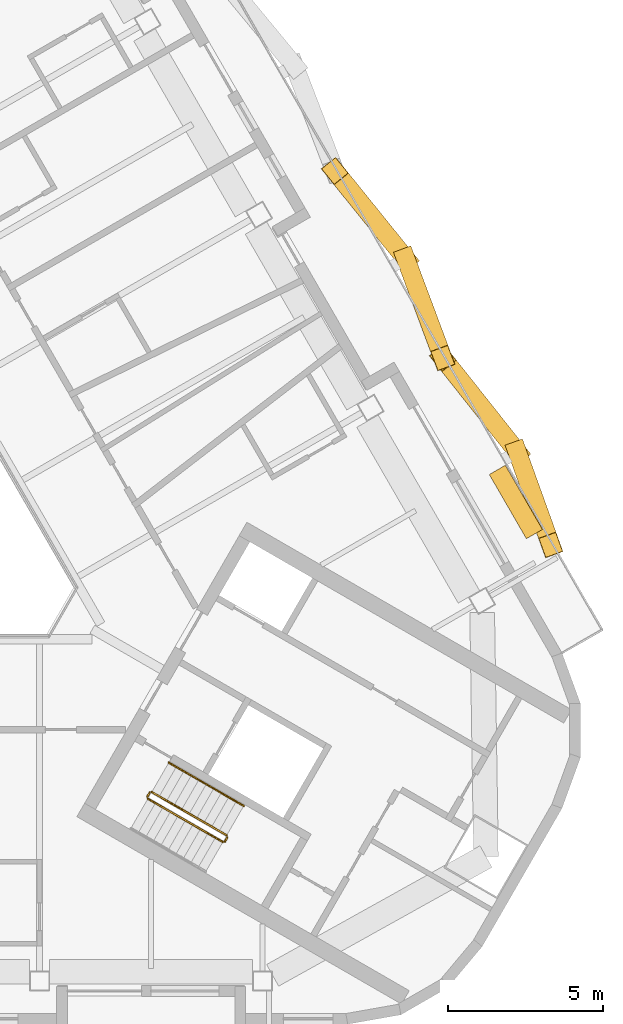
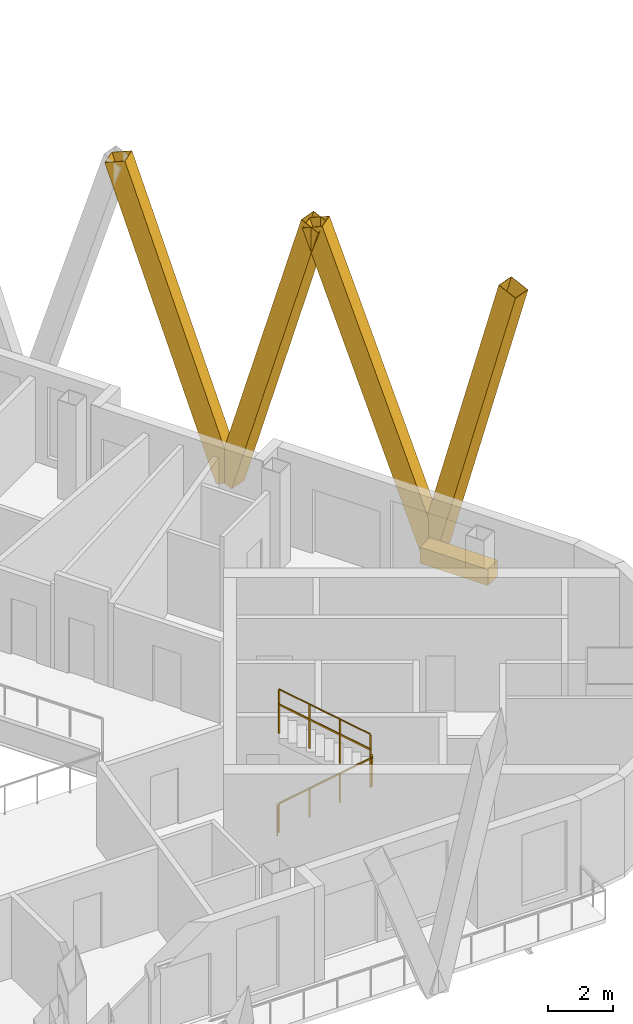
# One storey, part 11 of 13: 5 railings, 4 shading devices, 1 covering.
"""IFC4 building model written with IfcOpenShell, lengths in metres."""

from ifc_helpers import new_model, si_unit, direction, frame, origin, origin_2d, place, context, subcontext, project, spatial, rectangle, hollow_rectangle, circle, extrude, material, material_profile, profile_set, type_object, element, save


model = new_model("IFC4")

# Units and contexts
model_context = context("Model", 3, precision=1e-05, world=origin(), true_north=direction((0.0, 1.0)))
body_context = subcontext(model_context, "Body", "Model", "MODEL_VIEW")
ifc_project = project(units=[si_unit("LENGTHUNIT", "METRE"), si_unit("AREAUNIT", "SQUARE_METRE"), si_unit("VOLUMEUNIT", "CUBIC_METRE"), si_unit("PLANEANGLEUNIT", "RADIAN"), si_unit("MASSUNIT", "GRAM", prefix="KILO")], contexts=[model_context])

# Site, building, storey
site_placement = place(None, origin())
site = spatial("IfcSite", under=ifc_project, at=site_placement, CompositionType="ELEMENT")
building_placement = place(site_placement, origin())
building = spatial("IfcBuilding", under=site, at=building_placement, Name="Apuvela Tower Hotel", CompositionType="ELEMENT")
storey_placement = place(building_placement, frame((0.0, 0.0, 280.0)))
storey = spatial("IfcBuildingStorey", under=building, at=storey_placement, Name="L69", CompositionType="ELEMENT", Elevation=280.0)

# Railings
ifc_material_1 = material(Name="Steel S275 balustrade", Category="steel")
railing_type_1 = type_object("IfcRailingType", Name="COR-GUARD-1100", PredefinedType="GUARDRAIL", material=ifc_material_1)
railing_1_placement = place(storey_placement, frame((10.718994140625, -10.63427734375, 0.168212890625)))
element("IfcRailing", 1, at=railing_1_placement, inside=storey, type_object=railing_type_1, Name="L69 ST3 stair guard 1", PredefinedType="GUARDRAIL", context=body_context, shape_type="SweptSolid", body=[
    extrude(rectangle(XDim=0.048095703125, YDim=0.048095703125, at=origin_2d()), frame((0.0, 0.0, 1.076171875), z_axis=(0.742390482028, -0.42860119049, 0.514934356695), x_axis=(0.49998411664, 0.866034573852, 0.0)), (0.0, 0.0, 1.0), 3.26611328125),
    extrude(rectangle(XDim=0.0419921875, YDim=0.0419921875, at=origin_2d()), origin(), (0.0, 0.0, 1.0), 1.052001953125),
    extrude(rectangle(XDim=0.0419921875, YDim=0.0419921875, at=origin_2d()), frame((0.808349609375, -0.466552734375, 0.560546875)), (0.0, 0.0, 1.0), 1.052001953125),
    extrude(rectangle(XDim=0.0419921875, YDim=0.0419921875, at=origin_2d()), frame((1.616455078125, -0.933349609375, 1.121337890625)), (0.0, 0.0, 1.0), 1.052001953125),
    extrude(rectangle(XDim=0.0419921875, YDim=0.0419921875, at=origin_2d()), frame((2.4248046875, -1.39990234375, 1.681884765625)), (0.0, 0.0, 1.0), 1.052001953125),
])
railing_2_placement = place(storey_placement, frame((13.212158203125, -12.015869140625, 1.85009765625)))
element("IfcRailing", 2, at=railing_2_placement, inside=storey, type_object=railing_type_1, Name="L69 ST3 stair guard 2", PredefinedType="GUARDRAIL", context=body_context, shape_type="SweptSolid", body=[
    extrude(rectangle(XDim=0.048095703125, YDim=0.048095703125, at=origin_2d()), frame((0.0, 0.0, 1.076171875), z_axis=(0.499816412211, 0.866131372301, 0.0), x_axis=(-0.866131372301, 0.499816412211, 0.0)), (0.0, 0.0, 1.0), 0.14990234375),
    extrude(rectangle(XDim=0.0419921875, YDim=0.0419921875, at=origin_2d()), origin(), (0.0, 0.0, 1.0), 1.052001953125),
    extrude(rectangle(XDim=0.0419921875, YDim=0.0419921875, at=origin_2d()), frame((0.074951171875, 0.1298828125, 0.0)), (0.0, 0.0, 1.0), 1.052001953125),
])
railing_3_placement = place(storey_placement, frame((13.268798828125, -11.817626953125, 2.01806640625)))
element("IfcRailing", 3, at=railing_3_placement, inside=storey, type_object=railing_type_1, Name="L69 ST3 stair guard 3", PredefinedType="GUARDRAIL", context=body_context, shape_type="SweptSolid", body=[
    extrude(rectangle(XDim=0.048095703125, YDim=0.048095703125, at=origin_2d()), frame((0.0, 0.0, 1.076171875), z_axis=(-0.742390482028, 0.42860119049, 0.514934356695), x_axis=(-0.49998411664, -0.866034573852, 0.0)), (0.0, 0.0, 1.0), 3.26611328125),
    extrude(rectangle(XDim=0.0419921875, YDim=0.0419921875, at=origin_2d()), origin(), (0.0, 0.0, 1.0), 1.052001953125),
    extrude(rectangle(XDim=0.0419921875, YDim=0.0419921875, at=origin_2d()), frame((-0.808349609375, 0.466552734375, 0.560546875)), (0.0, 0.0, 1.0), 1.052001953125),
    extrude(rectangle(XDim=0.0419921875, YDim=0.0419921875, at=origin_2d()), frame((-1.616455078125, 0.933349609375, 1.121337890625)), (0.0, 0.0, 1.0), 1.052001953125),
    extrude(rectangle(XDim=0.0419921875, YDim=0.0419921875, at=origin_2d()), frame((-2.4248046875, 1.39990234375, 1.681884765625)), (0.0, 0.0, 1.0), 1.052001953125),
])
railing_4_placement = place(storey_placement, frame((10.70068359375, -10.56591796875, 0.0)))
element("IfcRailing", 4, at=railing_4_placement, inside=storey, type_object=railing_type_1, Name="L69 ST3 stair guard 4", PredefinedType="GUARDRAIL", context=body_context, shape_type="SweptSolid", body=[
    extrude(rectangle(XDim=0.048095703125, YDim=0.048095703125, at=origin_2d()), frame((0.0, 0.0, 1.076171875), z_axis=(0.499816412211, 0.866131372301, 0.0), x_axis=(-0.866131372301, 0.499816412211, 0.0)), (0.0, 0.0, 1.0), 0.14990234375),
    extrude(rectangle(XDim=0.0419921875, YDim=0.0419921875, at=origin_2d()), origin(), (0.0, 0.0, 1.0), 1.052001953125),
    extrude(rectangle(XDim=0.0419921875, YDim=0.0419921875, at=origin_2d()), frame((0.074951171875, 0.1298828125, 0.0)), (0.0, 0.0, 1.0), 1.052001953125),
])
ifc_material_2 = material(Name="Stainless steel 316 handrail", Category="steel")
railing_type_2 = type_object("IfcRailingType", Name="COR-HANDRAIL-900", PredefinedType="HANDRAIL", material=ifc_material_2)
railing_5_placement = place(storey_placement, frame((13.81884765625, -10.864990234375, 2.01806640625)))
element("IfcRailing", 5, at=railing_5_placement, inside=storey, type_object=railing_type_2, Name="L69 ST3 stair handrail 2", PredefinedType="HANDRAIL", context=body_context, shape_type="SweptSolid", body=[
    extrude(circle(Radius=0.02392578125, at=origin_2d()), frame((0.0, 0.0, 0.8759765625), z_axis=(-0.742390482028, 0.42860119049, 0.514934356695), x_axis=(-0.49998411664, -0.866034573852, 0.0)), (0.0, 0.0, 1.0), 3.26611328125),
    extrude(rectangle(XDim=0.0419921875, YDim=0.0419921875, at=origin_2d()), origin(), (0.0, 0.0, 1.0), 0.851806640625),
    extrude(rectangle(XDim=0.0419921875, YDim=0.0419921875, at=origin_2d()), frame((-0.808349609375, 0.466552734375, 0.560546875)), (0.0, 0.0, 1.0), 0.851806640625),
    extrude(rectangle(XDim=0.0419921875, YDim=0.0419921875, at=origin_2d()), frame((-1.616455078125, 0.933349609375, 1.121337890625)), (0.0, 0.0, 1.0), 0.851806640625),
    extrude(rectangle(XDim=0.0419921875, YDim=0.0419921875, at=origin_2d()), frame((-2.4248046875, 1.39990234375, 1.681884765625)), (0.0, 0.0, 1.0), 0.851806640625),
])

# Shading devices
ifc_material_3 = material(Name="Aluminium 6063-T6, black anodised", Category="aluminium")
ifc_material_profile = material_profile(ifc_material_3, hollow_rectangle(XDim=0.60009765625, YDim=0.699951171875, WallThickness=0.011962890625, at=origin_2d()), Name="AL BOX 700x600x12")
ifc_profile_set = profile_set([ifc_material_profile], Name="Aluminium 6063-T6, black anodised")
shading_device_type = type_object("IfcShadingDeviceType", Name="ENV-FIN-700x600", PredefinedType="USERDEFINED", material=ifc_profile_set)
shading_device_1_placement = place(storey_placement, frame((22.67041015625, 0.59130859375, -0.10009765625), z_axis=(0.093872413584, -0.260759052501, 0.960829166141), x_axis=(0.940888383931, 0.338716768087, 0.0)))
element("IfcShadingDevice", 6, at=shading_device_1_placement, inside=storey, type_object=shading_device_type, Name="Lattice fin NE585", ObjectType="FIN", PredefinedType="USERDEFINED", context=body_context, shape_type="SweptSolid", body=[
    extrude(hollow_rectangle(XDim=0.60009765625, YDim=0.699951171875, WallThickness=0.011962890625, at=origin_2d()), origin(), (0.0, 0.0, 1.0), 11.552734375),
])
shading_device_2_placement = place(storey_placement, frame((22.67041015625, 0.59130859375, -0.10009765625), z_axis=(-0.204898039953, 0.258427341433, 0.944050900335), x_axis=(-0.783588570734, -0.621280091275, 0.0)))
element("IfcShadingDevice", 7, at=shading_device_2_placement, inside=storey, type_object=shading_device_type, Name="Lattice fin NE586", ObjectType="FIN", PredefinedType="USERDEFINED", context=body_context, shape_type="SweptSolid", body=[
    extrude(hollow_rectangle(XDim=0.60009765625, YDim=0.699951171875, WallThickness=0.011962890625, at=origin_2d()), origin(), (0.0, 0.0, 1.0), 11.758056640625),
])
shading_device_3_placement = place(storey_placement, frame((19.0625, 6.840087890625, -0.10009765625), z_axis=(0.1031876675, -0.27633699388, 0.955505191555), x_axis=(0.936817233822, 0.34981919675, 0.0)))
element("IfcShadingDevice", 8, at=shading_device_3_placement, inside=storey, type_object=shading_device_type, Name="Lattice fin NE587", ObjectType="FIN", PredefinedType="USERDEFINED", context=body_context, shape_type="SweptSolid", body=[
    extrude(hollow_rectangle(XDim=0.60009765625, YDim=0.699951171875, WallThickness=0.011962890625, at=origin_2d()), origin(), (0.0, 0.0, 1.0), 11.616943359375),
])
shading_device_4_placement = place(storey_placement, frame((19.0625, 6.840087890625, -0.10009765625), z_axis=(-0.196391864595, 0.243108057067, 0.949909842095), x_axis=(-0.777885876447, -0.628405572242, 0.0)))
element("IfcShadingDevice", 9, at=shading_device_4_placement, inside=storey, type_object=shading_device_type, Name="Lattice fin NE588", ObjectType="FIN", PredefinedType="USERDEFINED", context=body_context, shape_type="SweptSolid", body=[
    extrude(hollow_rectangle(XDim=0.60009765625, YDim=0.699951171875, WallThickness=0.011962890625, at=origin_2d()), origin(), (0.0, 0.0, 1.0), 11.685302734375),
])

# Covering
ifc_material_4 = material(Name="Planting substrate and soil, planted")
covering_type = type_object("IfcCoveringType", Name="ENV-PLANTER-2400x600", PredefinedType="USERDEFINED", material=ifc_material_4)
covering_placement = place(storey_placement, frame((22.62548828125, -1.03125, 0.0), z_axis=(0.0, 0.0, 1.0), x_axis=(-0.5, 0.866025403784, 0.0)))
element("IfcCovering", 10, at=covering_placement, inside=storey, type_object=covering_type, Name="Planter NE3", ObjectType="PLANTER", PredefinedType="USERDEFINED", context=body_context, shape_type="SweptSolid", body=[
    extrude(rectangle(XDim=2.39990234375, YDim=0.60009765625, at=origin_2d()), origin(), (0.0, 0.0, 1.0), 0.60009765625),
])

save(model, "model.ifc")
